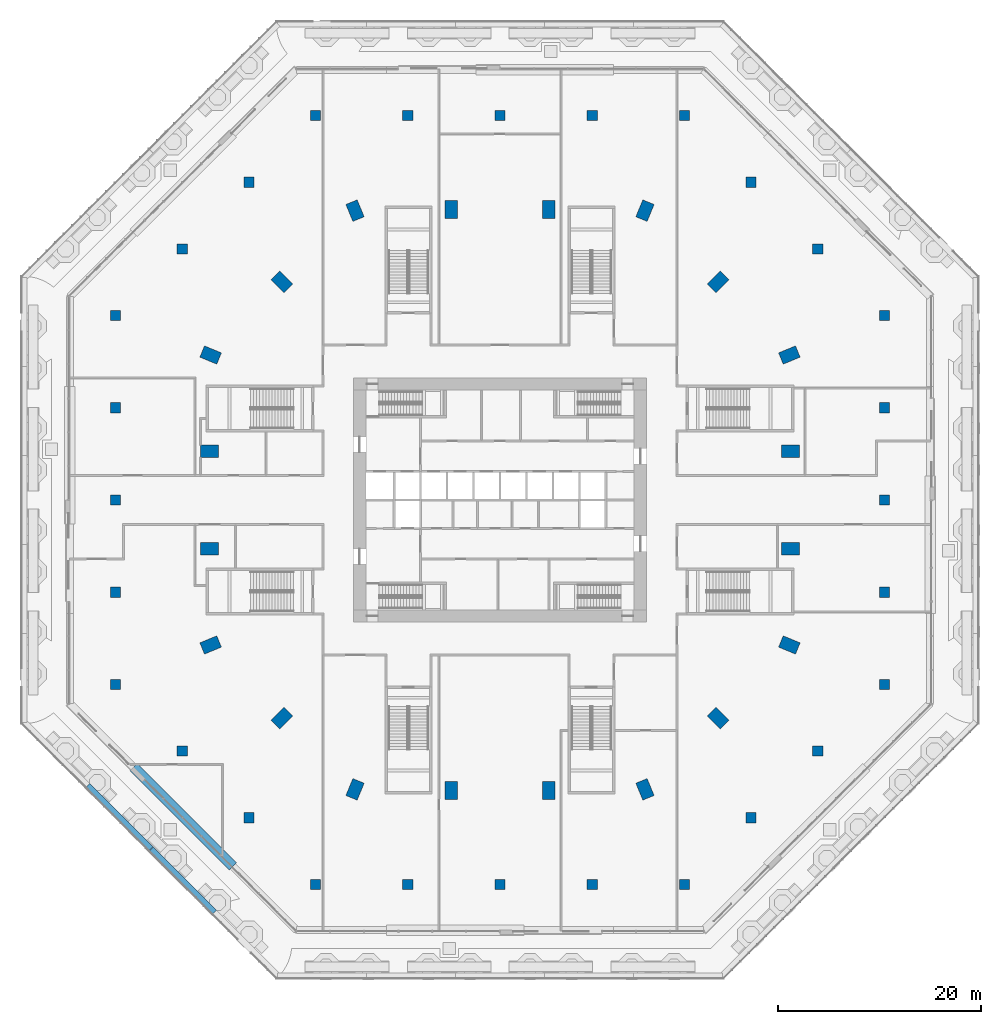
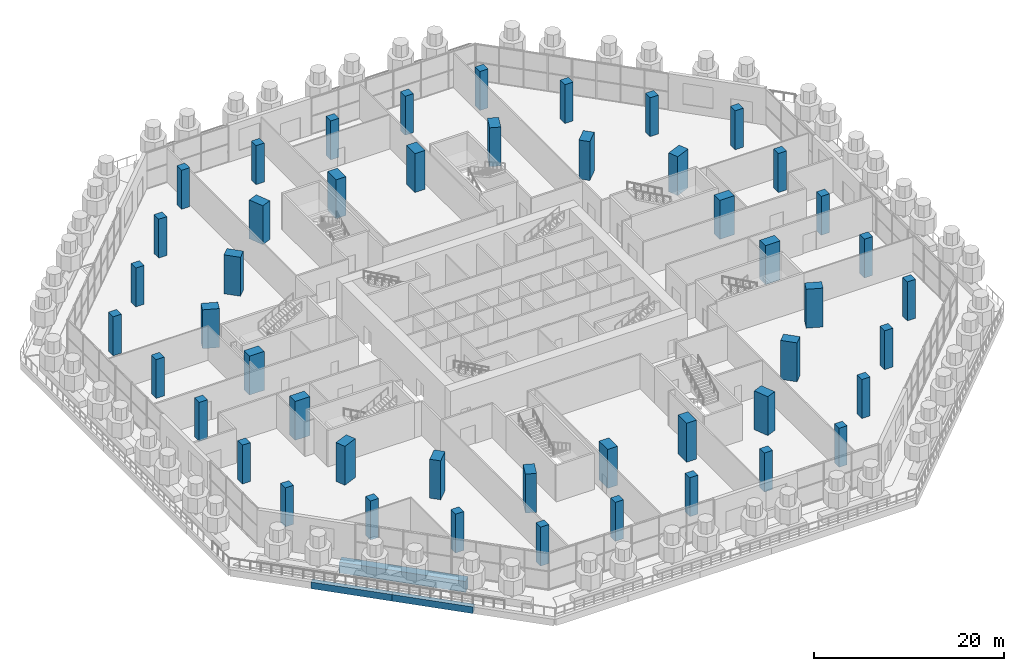
# One storey, part 1 of 32: 48 columns, 3 beams.
"""IFC4 building model written with IfcOpenShell, lengths in metres."""

from ifc_helpers import new_model, si_unit, direction, frame, origin, origin_2d, place, context, subcontext, project, spatial, rectangle, extrude, material, material_profile, profile_set, type_object, element, save


model = new_model("IFC4")

# Units and contexts
model_context = context("Model", 3, precision=1e-05, world=origin(), true_north=direction((0.0, 1.0)))
body_context = subcontext(model_context, "Body", "Model", "MODEL_VIEW")
ifc_project = project(units=[si_unit("LENGTHUNIT", "METRE"), si_unit("AREAUNIT", "SQUARE_METRE"), si_unit("VOLUMEUNIT", "CUBIC_METRE"), si_unit("PLANEANGLEUNIT", "RADIAN"), si_unit("MASSUNIT", "GRAM", prefix="KILO")], contexts=[model_context])

# Site, building, storey
site_placement = place(None, origin())
site = spatial("IfcSite", under=ifc_project, at=site_placement, CompositionType="ELEMENT")
building_placement = place(site_placement, origin())
building = spatial("IfcBuilding", under=site, at=building_placement, Name="Msitu Wima Residences", CompositionType="ELEMENT")
storey_placement = place(building_placement, frame((0.0, 0.0, 6.0)))
storey = spatial("IfcBuildingStorey", under=building, at=storey_placement, Name="L01", CompositionType="ELEMENT", Elevation=6.0)

# Columns
ifc_material_1 = material(Name="Concrete C60/75", Category="concrete")
ifc_material_profile_1 = material_profile(ifc_material_1, rectangle(XDim=1.0, YDim=1.0, at=origin_2d()), Name="RC 1000x1000")
ifc_profile_set_1 = profile_set([ifc_material_profile_1], Name="Concrete C60/75")
column_type_1 = type_object("IfcColumnType", Name="Base column CB10 1000x1000", PredefinedType="COLUMN", material=ifc_profile_set_1)
for number, where, z_axis, x_axis, name in (
    (1, (-18.1279296875, -37.800048828125, 0.0), (0.0, 0.0, 1.0), (1.0, 0.0, 0.0), "Column -18.1/-37.8 L01"),
    (2, (-9.06396484375, -37.800048828125, 0.0), (0.0, 0.0, 1.0), (1.0, 0.0, 0.0), "Column -9.1/-37.8 L01"),
    (3, (0.0, -37.800048828125, 0.0), (0.0, 0.0, 1.0), (1.0, 0.0, 0.0), "Column 12/-37.8 L01"),
    (4, (9.06396484375, -37.800048828125, 0.0), (0.0, 0.0, 1.0), (1.0, 0.0, 0.0), "Column +9.1/-37.8 L01"),
    (5, (18.1279296875, -37.800048828125, 0.0), (0.0, 0.0, 1.0), (1.0, 0.0, 0.0), "Column +18.1/-37.8 L01"),
    (6, (-24.685302734375, -31.24267578125, 0.0), (0.0, 0.0, 1.0), (1.0, 0.0, 0.0), "Column -24.7/-31.2 L01"),
    (7, (24.685302734375, -31.24267578125, 0.0), (0.0, 0.0, 1.0), (1.0, 0.0, 0.0), "Column +24.7/-31.2 L01"),
    (8, (-31.24267578125, -24.685302734375, 0.0), (0.0, 0.0, 1.0), (1.0, 0.0, 0.0), "Column -31.2/-24.7 L01"),
    (9, (31.24267578125, -24.685302734375, 0.0), (0.0, 0.0, 1.0), (1.0, 0.0, 0.0), "Column +31.2/-24.7 L01"),
    (10, (-37.800048828125, -18.1279296875, 0.0), (0.0, 0.0, 1.0), (1.0, 0.0, 0.0), "Column -37.8/-18.1 L01"),
    (11, (37.800048828125, -18.1279296875, 0.0), (0.0, 0.0, 1.0), (1.0, 0.0, 0.0), "Column +37.8/-18.1 L01"),
    (12, (-37.800048828125, -9.06396484375, 0.0), (0.0, 0.0, 1.0), (1.0, 0.0, 0.0), "Column -37.8/-9.1 L01"),
    (13, (37.800048828125, -9.06396484375, 0.0), (0.0, 0.0, 1.0), (1.0, 0.0, 0.0), "Column +37.8/-9.1 L01"),
    (14, (-37.800048828125, 0.0, 0.0), (0.0, 0.0, 1.0), (1.0, 0.0, 0.0), "Column -37.8/M L01"),
    (15, (37.800048828125, 0.0, 0.0), (0.0, 0.0, 1.0), (1.0, 0.0, 0.0), "Column +37.8/M L01"),
    (16, (-37.800048828125, 9.06396484375, 0.0), (0.0, 0.0, 1.0), (1.0, 0.0, 0.0), "Column -37.8/+9.1 L01"),
    (17, (37.800048828125, 9.06396484375, 0.0), (0.0, 0.0, 1.0), (1.0, 0.0, 0.0), "Column +37.8/+9.1 L01"),
    (18, (-37.800048828125, 18.1279296875, 0.0), (0.0, 0.0, 1.0), (1.0, 0.0, 0.0), "Column -37.8/+18.1 L01"),
    (19, (37.800048828125, 18.1279296875, 0.0), (0.0, 0.0, 1.0), (1.0, 0.0, 0.0), "Column +37.8/+18.1 L01"),
    (20, (-31.24267578125, 24.685302734375, 0.0), (0.0, 0.0, 1.0), (1.0, 0.0, 0.0), "Column -31.2/+24.7 L01"),
    (21, (31.24267578125, 24.685302734375, 0.0), (0.0, 0.0, 1.0), (1.0, 0.0, 0.0), "Column +31.2/+24.7 L01"),
    (22, (-24.685302734375, 31.24267578125, 0.0), (0.0, 0.0, 1.0), (1.0, 0.0, 0.0), "Column -24.7/+31.2 L01"),
    (23, (24.685302734375, 31.24267578125, 0.0), (0.0, 0.0, 1.0), (1.0, 0.0, 0.0), "Column +24.7/+31.2 L01"),
    (24, (-18.1279296875, 37.800048828125, 0.0), (0.0, 0.0, 1.0), (1.0, 0.0, 0.0), "Column -18.1/+37.8 L01"),
    (25, (-9.06396484375, 37.800048828125, 0.0), (0.0, 0.0, 1.0), (1.0, 0.0, 0.0), "Column -9.1/+37.8 L01"),
    (26, (0.0, 37.800048828125, 0.0), (0.0, 0.0, 1.0), (1.0, 0.0, 0.0), "Column 12/+37.8 L01"),
    (27, (9.06396484375, 37.800048828125, 0.0), (0.0, 0.0, 1.0), (1.0, 0.0, 0.0), "Column +9.1/+37.8 L01"),
    (28, (18.1279296875, 37.800048828125, 0.0), (0.0, 0.0, 1.0), (1.0, 0.0, 0.0), "Column +18.1/+37.8 L01"),
):
    element("IfcColumn", number, at=place(storey_placement, frame(where, z_axis=z_axis, x_axis=x_axis)), inside=storey, type_object=column_type_1, Name=name, PredefinedType="COLUMN", context=body_context, shape_type="SweptSolid", body=[
        extrude(rectangle(XDim=1.0, YDim=1.0, at=origin_2d()), origin(), (0.0, 0.0, 1.0), 5.0),
    ])
ifc_material_2 = material(Name="Concrete C70/85", Category="concrete")
ifc_material_profile_2 = material_profile(ifc_material_2, rectangle(XDim=1.199951171875, YDim=1.800048828125, at=origin_2d()), Name="RC 1200x1800")
ifc_profile_set_2 = profile_set([ifc_material_profile_2], Name="Concrete C70/85")
column_type_2 = type_object("IfcColumnType", Name="Base column CB18 1200x1800", PredefinedType="COLUMN", material=ifc_profile_set_2)
for number, where, z_axis, x_axis, name in (
    (29, (-4.800048828125, -28.574951171875, 0.0), (0.0, 0.0, 1.0), (1.0, 0.0, 0.0), "Column 11/-28.6 L01"),
    (30, (4.800048828125, -28.574951171875, 0.0), (0.0, 0.0, 1.0), (1.0, 0.0, 0.0), "Column 13/-28.6 L01"),
    (31, (-14.2568359375, -28.4541015625, 0.0), (0.0, 0.0, 1.0), (0.923879505795, -0.382683496864, 0.0), "Column -14.3/-28.5 L01"),
    (32, (14.2568359375, -28.4541015625, 0.0), (0.0, 0.0, 1.0), (0.923879505795, 0.382683496864, 0.0), "Column +14.3/-28.5 L01"),
    (33, (-21.44091796875, -21.44091796875, 0.0), (0.0, 0.0, 1.0), (0.707106781187, -0.707106781187, 0.0), "Column -21.4/-21.4 L01"),
    (34, (21.44091796875, -21.44091796875, 0.0), (0.0, 0.0, 1.0), (0.707106781187, 0.707106781187, 0.0), "Column +21.4/-21.4 L01"),
    (35, (-28.4541015625, -14.2568359375, 0.0), (0.0, 0.0, 1.0), (0.382683496864, -0.923879505795, 0.0), "Column -28.5/-14.3 L01"),
    (36, (28.4541015625, -14.2568359375, 0.0), (0.0, 0.0, 1.0), (0.382683496864, 0.923879505795, 0.0), "Column +28.5/-14.3 L01"),
    (37, (-28.574951171875, -4.800048828125, 0.0), (0.0, 0.0, 1.0), (0.0, -1.0, 0.0), "Column -28.6/L L01"),
    (38, (28.574951171875, -4.800048828125, 0.0), (0.0, 0.0, 1.0), (0.0, 1.0, 0.0), "Column +28.6/L L01"),
    (39, (-28.574951171875, 4.800048828125, 0.0), (0.0, 0.0, 1.0), (0.0, -1.0, 0.0), "Column -28.6/N L01"),
    (40, (28.574951171875, 4.800048828125, 0.0), (0.0, 0.0, 1.0), (0.0, 1.0, 0.0), "Column +28.6/N L01"),
    (41, (-28.4541015625, 14.2568359375, 0.0), (0.0, 0.0, 1.0), (-0.382683496864, -0.923879505795, 0.0), "Column -28.5/+14.3 L01"),
    (42, (28.4541015625, 14.2568359375, 0.0), (0.0, 0.0, 1.0), (-0.382683496864, 0.923879505795, 0.0), "Column +28.5/+14.3 L01"),
    (43, (-21.44091796875, 21.44091796875, 0.0), (0.0, 0.0, 1.0), (-0.707106781187, -0.707106781187, 0.0), "Column -21.4/+21.4 L01"),
    (44, (21.44091796875, 21.44091796875, 0.0), (0.0, 0.0, 1.0), (-0.707106781187, 0.707106781187, 0.0), "Column +21.4/+21.4 L01"),
    (45, (-14.2568359375, 28.4541015625, 0.0), (0.0, 0.0, 1.0), (-0.923879505795, -0.382683496864, 0.0), "Column -14.3/+28.5 L01"),
    (46, (14.2568359375, 28.4541015625, 0.0), (0.0, 0.0, 1.0), (-0.923879505795, 0.382683496864, 0.0), "Column +14.3/+28.5 L01"),
    (47, (-4.800048828125, 28.574951171875, 0.0), (0.0, 0.0, 1.0), (-1.0, 0.0, 0.0), "Column 11/+28.6 L01"),
    (48, (4.800048828125, 28.574951171875, 0.0), (0.0, 0.0, 1.0), (-1.0, 0.0, 0.0), "Column 13/+28.6 L01"),
):
    element("IfcColumn", number, at=place(storey_placement, frame(where, z_axis=z_axis, x_axis=x_axis)), inside=storey, type_object=column_type_2, Name=name, PredefinedType="COLUMN", context=body_context, shape_type="SweptSolid", body=[
        extrude(rectangle(XDim=1.199951171875, YDim=1.800048828125, at=origin_2d()), origin(), (0.0, 0.0, 1.0), 5.0),
    ])

# Beams
ifc_material_profile_3 = material_profile(ifc_material_1, rectangle(XDim=1.0, YDim=1.39990234375, at=origin_2d()), Name="RC 1000x1400")
ifc_profile_set_3 = profile_set([ifc_material_profile_3], Name="Concrete C60/75")
beam_type_1 = type_object("IfcBeamType", Name="Terrace beam RC 1000x1400 Concrete C60/75", PredefinedType="BEAM", material=ifc_profile_set_3)
beam_placement = place(storey_placement, frame((-36.02392578125, -26.267822265625, -1.050048828125), z_axis=(0.707106781187, -0.707106781187, 0.0), x_axis=(0.707106781187, 0.707106781187, 0.0)))
element("IfcBeam", 49, at=beam_placement, inside=storey, type_object=beam_type_1, Name="Terrace upstand-line beam L01 T3", PredefinedType="BEAM", context=body_context, shape_type="SweptSolid", body=[
    extrude(rectangle(XDim=1.0, YDim=1.39990234375, at=origin_2d()), origin(), (0.0, 0.0, 1.0), 13.797119140625),
])
ifc_material_profile_4 = material_profile(ifc_material_1, rectangle(XDim=0.60009765625, YDim=0.85009765625, at=origin_2d()), Name="RC 600x850")
ifc_profile_set_4 = profile_set([ifc_material_profile_4], Name="Concrete C60/75")
beam_type_2 = type_object("IfcBeamType", Name="Terrace beam RC 600x850 Concrete C60/75", PredefinedType="BEAM", material=ifc_profile_set_4)
for number, where, z_axis, x_axis, name in (
    (50, (-40.56396484375, -28.091796875, -0.77490234375), (0.707106781187, -0.707106781187, 0.0), (0.707106781187, 0.707106781187, 0.0), "Terrace edge beam L00 C-SW1"),
    (51, (-34.327880859375, -34.327880859375, -0.77490234375), (0.707106781187, -0.707106781187, 0.0), (0.707106781187, 0.707106781187, 0.0), "Terrace edge beam L00 C-SW2"),
):
    element("IfcBeam", number, at=place(storey_placement, frame(where, z_axis=z_axis, x_axis=x_axis)), inside=storey, type_object=beam_type_2, Name=name, PredefinedType="BEAM", context=body_context, shape_type="SweptSolid", body=[
        extrude(rectangle(XDim=0.60009765625, YDim=0.85009765625, at=origin_2d()), origin(), (0.0, 0.0, 1.0), 8.819091796875),
    ])

save(model, "model.ifc")
